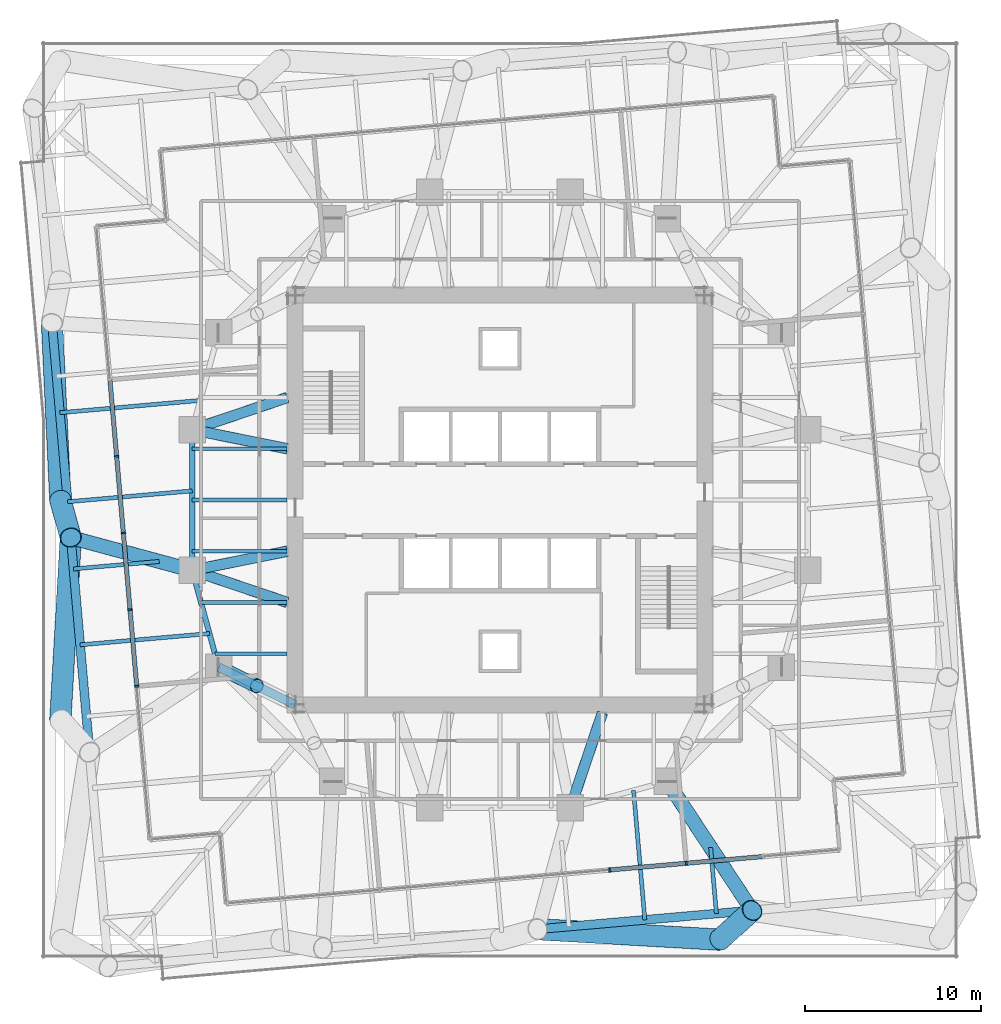
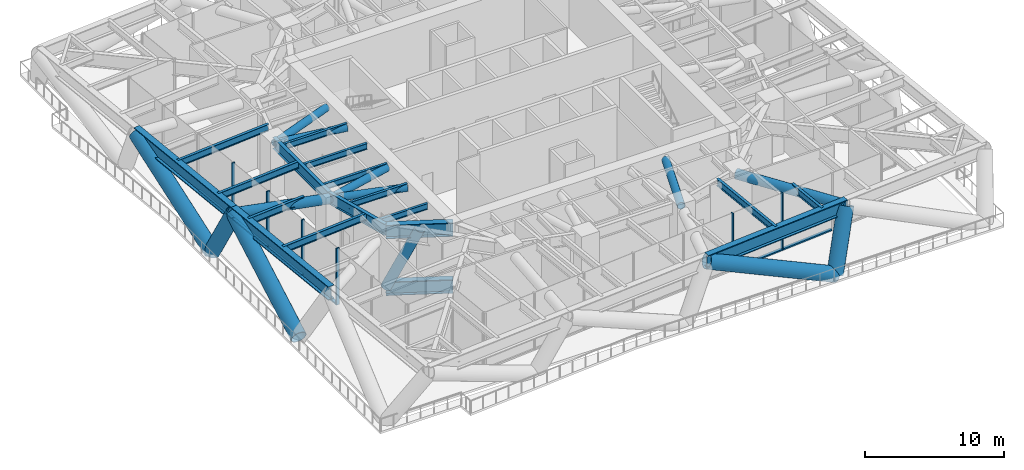
# One storey, part 3 of 14: 27 members, 16 beams, 2 elements without a shape of their own.
"""IFC4 building model written with IfcOpenShell, lengths in metres."""

from ifc_helpers import new_model, si_unit, direction, frame, origin, origin_2d, place, context, subcontext, project, spatial, rectangle, hollow_circle, i_section, extrude, material, material_profile, profile_set, type_object, element, aggregate, save


model = new_model("IFC4")

# Units and contexts
model_context = context("Model", 3, precision=1e-05, world=origin(), true_north=direction((0.0, 1.0)))
body_context = subcontext(model_context, "Body", "Model", "MODEL_VIEW")
ifc_project = project(units=[si_unit("LENGTHUNIT", "METRE"), si_unit("AREAUNIT", "SQUARE_METRE"), si_unit("VOLUMEUNIT", "CUBIC_METRE"), si_unit("PLANEANGLEUNIT", "RADIAN"), si_unit("MASSUNIT", "GRAM", prefix="KILO")], contexts=[model_context])

# Site, building, storey
site_placement = place(None, origin())
site = spatial("IfcSite", under=ifc_project, at=site_placement, CompositionType="ELEMENT")
building_placement = place(site_placement, origin())
building = spatial("IfcBuilding", under=site, at=building_placement, Name="Torsade Residences", CompositionType="ELEMENT")
storey_placement = place(building_placement, frame((0.0, 0.0, 42.199951171875)))
storey = spatial("IfcBuildingStorey", under=building, at=storey_placement, Name="L11", CompositionType="ELEMENT", Elevation=42.199951171875)

# Beams
ifc_material_1 = material(Name="Steel grade 300", Category="steel")
ifc_material_profile_1 = material_profile(ifc_material_1, i_section(OverallWidth=0.208984375, OverallDepth=0.528076171875, WebThickness=0.009521484375, FlangeThickness=0.01318359375, FilletRadius=0.013916015625, at=origin_2d()), Name="530UB82.0")
ifc_profile_set_1 = profile_set([ifc_material_profile_1], Name="Steel grade 300")
beam_type_1 = type_object("IfcBeamType", Name="INNER FLOOR BEAM 530UB82.0", PredefinedType="JOIST", material=ifc_profile_set_1)
for number, where, z_axis, x_axis, name in (
    (1, (27.89990234375, 32.91259765625, 4.5859375), (-1.0, 0.0, 0.0), (0.0, -1.0, 0.0), "Inner floor beam IW03 L12"),
    (2, (27.89990234375, 30.0, 4.5859375), (-1.0, 0.0, 0.0), (0.0, -1.0, 0.0), "Inner floor beam IW04 L12"),
    (3, (27.89990234375, 27.08740234375, 4.5859375), (-1.0, 0.0, 0.0), (0.0, -1.0, 0.0), "Inner floor beam IW05 L12"),
):
    element("IfcBeam", number, at=place(storey_placement, frame(where, z_axis=z_axis, x_axis=x_axis)), inside=storey, type_object=beam_type_1, Name=name, PredefinedType="JOIST", context=body_context, shape_type="SweptSolid", body=[
        extrude(i_section(OverallWidth=0.208984375, OverallDepth=0.528076171875, WebThickness=0.009521484375, FlangeThickness=0.01318359375, FilletRadius=0.013916015625, at=origin_2d()), origin(), (0.0, 0.0, 1.0), 5.39990234375),
    ])
beam_1_placement = place(storey_placement, frame((27.89990234375, 24.175048828125, 4.5859375), z_axis=(-1.0, 0.0, 0.0), x_axis=(0.0, -1.0, 0.0)))
element("IfcBeam", 4, at=beam_1_placement, inside=storey, type_object=beam_type_1, Name="Inner floor beam IW06 L12", PredefinedType="JOIST", context=body_context, shape_type="SweptSolid", body=[
    extrude(i_section(OverallWidth=0.208984375, OverallDepth=0.528076171875, WebThickness=0.009521484375, FlangeThickness=0.01318359375, FilletRadius=0.013916015625, at=origin_2d()), origin(), (0.0, 0.0, 1.0), 4.902099609375),
])
beam_2_placement = place(storey_placement, frame((27.89990234375, 21.262451171875, 4.5859375), z_axis=(-1.0, 0.0, 0.0), x_axis=(0.0, -1.0, 0.0)))
element("IfcBeam", 5, at=beam_2_placement, inside=storey, type_object=beam_type_1, Name="Inner floor beam IW07 L12", PredefinedType="JOIST", context=body_context, shape_type="SweptSolid", body=[
    extrude(i_section(OverallWidth=0.208984375, OverallDepth=0.528076171875, WebThickness=0.009521484375, FlangeThickness=0.01318359375, FilletRadius=0.013916015625, at=origin_2d()), origin(), (0.0, 0.0, 1.0), 4.10791015625),
])

# Members
ifc_material_2 = material(Name="Steel grade 350", Category="steel")
ifc_material_profile_2 = material_profile(ifc_material_2, i_section(OverallWidth=0.5, OverallDepth=1.199951171875, WebThickness=0.031982421875, FlangeThickness=0.050048828125, at=origin_2d()), Name="1200x500x50x32WPG")
ifc_profile_set_2 = profile_set([ifc_material_profile_2], Name="Steel grade 350")
member_type_1 = type_object("IfcMemberType", Name="OUTRIGGER CHORD", PredefinedType="CHORD", material=ifc_profile_set_2)
for number, where, z_axis, x_axis, name in (
    (6, (28.35009765625, 18.35009765625, 4.25), (-0.896490509266, 0.443062937737, 0.0), (-0.443062937737, -0.896490509266, 0.0), "Outrigger IR11 top chord L11"),
    (7, (28.35009765625, 18.35009765625, -0.75), (-0.896490509266, 0.443062937737, 0.0), (-0.443062937737, -0.896490509266, 0.0), "Outrigger IR11 bottom chord L11"),
):
    element("IfcMember", number, at=place(storey_placement, frame(where, z_axis=z_axis, x_axis=x_axis)), inside=storey, type_object=member_type_1, Name=name, PredefinedType="CHORD", context=body_context, shape_type="SweptSolid", body=[
        extrude(i_section(OverallWidth=0.5, OverallDepth=1.199951171875, WebThickness=0.031982421875, FlangeThickness=0.050048828125, at=origin_2d()), origin(), (0.0, 0.0, 1.0), 4.852294921875),
    ])
ifc_material_3 = material(Name="Steel grade 450", Category="steel")
ifc_material_profile_3 = material_profile(ifc_material_3, hollow_circle(Radius=0.406494140625, WallThickness=0.02490234375, at=origin_2d()), Name="813.0x25.0CHS")
ifc_profile_set_3 = profile_set([ifc_material_profile_3], Name="Steel grade 450")
member_type_2 = type_object("IfcMemberType", Name="OUTRIGGER DIAGONAL", PredefinedType="BRACE", material=ifc_profile_set_3)
member_1_placement = place(storey_placement, frame((24.0, 20.5, -0.75), z_axis=(0.391368316838, -0.193421786849, 0.899677082595), x_axis=(0.443062937737, 0.896490509266, 0.0)))
element("IfcMember", 8, at=member_1_placement, inside=storey, type_object=member_type_2, Name="Outrigger IR11 diagonal 2 L11", PredefinedType="BRACE", context=body_context, shape_type="SweptSolid", body=[
    extrude(hollow_circle(Radius=0.406494140625, WallThickness=0.02490234375, at=origin_2d()), origin(), (0.0, 0.0, 1.0), 5.5576171875),
])

# Beams
ifc_material_4 = material(Name="Steel grade 300", Category="steel")
ifc_material_profile_4 = material_profile(ifc_material_4, i_section(OverallWidth=0.300048828125, OverallDepth=1.0, WebThickness=0.01611328125, FlangeThickness=0.028076171875, at=origin_2d()), Name="1000WB215")
ifc_profile_set_4 = profile_set([ifc_material_profile_4], Name="Steel grade 300")
beam_type_2 = type_object("IfcBeamType", Name="RING GIRDER 1000WB215", PredefinedType="BEAM", material=ifc_profile_set_4)
beam_3_placement = place(storey_placement, frame((22.5, 34.0, 4.35009765625), z_axis=(0.0, -1.0, 0.0), x_axis=(1.0, 0.0, 0.0)))
element("IfcBeam", 9, at=beam_3_placement, inside=storey, type_object=beam_type_2, Name="Ring girder IR09 L12", PredefinedType="BEAM", context=body_context, shape_type="SweptSolid", body=[
    extrude(i_section(OverallWidth=0.300048828125, OverallDepth=1.0, WebThickness=0.01611328125, FlangeThickness=0.028076171875, at=origin_2d()), origin(), (0.0, 0.0, 1.0), 8.0),
])
beam_4_placement = place(storey_placement, frame((22.5, 26.0, 4.35009765625), z_axis=(0.263117405792, -0.964763821238, 0.0), x_axis=(0.964763821238, 0.263117405792, 0.0)))
element("IfcBeam", 10, at=beam_4_placement, inside=storey, type_object=beam_type_2, Name="Ring girder IR10 L12", PredefinedType="BEAM", context=body_context, shape_type="SweptSolid", body=[
    extrude(i_section(OverallWidth=0.300048828125, OverallDepth=1.0, WebThickness=0.01611328125, FlangeThickness=0.028076171875, at=origin_2d()), origin(), (0.0, 0.0, 1.0), 5.700927734375),
])
ifc_material_5 = material(Name="Steel grade 300", Category="steel")
ifc_material_profile_5 = material_profile(ifc_material_5, i_section(OverallWidth=0.22900390625, OverallDepth=0.612060546875, WebThickness=0.011962890625, FlangeThickness=0.01953125, FilletRadius=0.013916015625, at=origin_2d()), Name="610UB125")
ifc_profile_set_5 = profile_set([ifc_material_profile_5], Name="Steel grade 300")
beam_type_3 = type_object("IfcBeamType", Name="SECONDARY BEAM 610UB125", PredefinedType="JOIST", material=ifc_profile_set_5)
beam_5_placement = place(storey_placement, frame((48.237060546875, 6.126953125, 4.5439453125), z_axis=(-0.087156282128, 0.996194650902, 0.0), x_axis=(-0.996194650902, -0.087156282128, 0.0)))
element("IfcBeam", 11, at=beam_5_placement, inside=storey, type_object=beam_type_3, Name="Floor beam FS08 L12", PredefinedType="JOIST", context=body_context, shape_type="SweptSolid", body=[
    extrude(i_section(OverallWidth=0.22900390625, OverallDepth=0.612060546875, WebThickness=0.011962890625, FlangeThickness=0.01953125, FilletRadius=0.013916015625, at=origin_2d()), origin(), (0.0, 0.0, 1.0), 7.381103515625),
])
beam_6_placement = place(storey_placement, frame((52.3046875, 6.48291015625, 4.5439453125), z_axis=(-0.087142892177, 0.996195822288, 0.0), x_axis=(-0.996195822288, -0.087142892177, 0.0)))
element("IfcBeam", 12, at=beam_6_placement, inside=storey, type_object=beam_type_3, Name="Floor beam FS09 L12", PredefinedType="JOIST", context=body_context, shape_type="SweptSolid", body=[
    extrude(i_section(OverallWidth=0.22900390625, OverallDepth=0.612060546875, WebThickness=0.011962890625, FlangeThickness=0.01953125, FilletRadius=0.013916015625, at=origin_2d()), origin(), (0.0, 0.0, 1.0), 3.776611328125),
])
beam_7_placement = place(storey_placement, frame((14.97216796875, 34.962646484375, 4.5439453125), z_axis=(0.996194478268, 0.087158255311, 0.0), x_axis=(-0.087158255311, 0.996194478268, 0.0)))
element("IfcBeam", 13, at=beam_7_placement, inside=storey, type_object=beam_type_3, Name="Floor beam FW05 L12", PredefinedType="JOIST", context=body_context, shape_type="SweptSolid", body=[
    extrude(i_section(OverallWidth=0.22900390625, OverallDepth=0.612060546875, WebThickness=0.011962890625, FlangeThickness=0.01953125, FilletRadius=0.013916015625, at=origin_2d()), origin(), (0.0, 0.0, 1.0), 8.01123046875),
])
beam_8_placement = place(storey_placement, frame((15.415283203125, 29.898681640625, 4.5439453125), z_axis=(0.996197182094, 0.087127345813, 0.0), x_axis=(-0.087127345813, 0.996197182094, 0.0)))
element("IfcBeam", 14, at=beam_8_placement, inside=storey, type_object=beam_type_3, Name="Floor beam FW06 L12", PredefinedType="JOIST", context=body_context, shape_type="SweptSolid", body=[
    extrude(i_section(OverallWidth=0.22900390625, OverallDepth=0.612060546875, WebThickness=0.011962890625, FlangeThickness=0.01953125, FilletRadius=0.013916015625, at=origin_2d()), origin(), (0.0, 0.0, 1.0), 7.11181640625),
])
beam_9_placement = place(storey_placement, frame((15.749267578125, 26.079833984375, 4.5439453125), z_axis=(0.996194962831, 0.087152716714, 0.0), x_axis=(-0.087152716714, 0.996194962831, 0.0)))
element("IfcBeam", 15, at=beam_9_placement, inside=storey, type_object=beam_type_3, Name="Floor beam FW07 L12", PredefinedType="JOIST", context=body_context, shape_type="SweptSolid", body=[
    extrude(i_section(OverallWidth=0.22900390625, OverallDepth=0.612060546875, WebThickness=0.011962890625, FlangeThickness=0.01953125, FilletRadius=0.013916015625, at=origin_2d()), origin(), (0.0, 0.0, 1.0), 4.893798828125),
])
beam_10_placement = place(storey_placement, frame((16.126953125, 21.762939453125, 4.5439453125), z_axis=(0.996194650902, 0.087156282128, 0.0), x_axis=(-0.087156282128, 0.996194650902, 0.0)))
element("IfcBeam", 16, at=beam_10_placement, inside=storey, type_object=beam_type_3, Name="Floor beam FW08 L12", PredefinedType="JOIST", context=body_context, shape_type="SweptSolid", body=[
    extrude(i_section(OverallWidth=0.22900390625, OverallDepth=0.612060546875, WebThickness=0.011962890625, FlangeThickness=0.01953125, FilletRadius=0.013916015625, at=origin_2d()), origin(), (0.0, 0.0, 1.0), 7.381103515625),
])

# Members
ifc_material_6 = material(Name="Steel grade 450", Category="steel")
ifc_material_profile_6 = material_profile(ifc_material_6, hollow_circle(Radius=0.304931640625, WallThickness=0.01611328125, at=origin_2d()), Name="610.0x16.0CHS")
ifc_profile_set_6 = profile_set([ifc_material_profile_6], Name="Steel grade 450")
member_type_3 = type_object("IfcMemberType", Name="TRANSFER FLOOR BRACE 610.0x16.0CHS", PredefinedType="BRACE", material=ifc_profile_set_6)
member_2_placement = place(storey_placement, frame((22.5, 34.0, 4.25), z_axis=(0.97976207845, -0.197299045909, 0.03375434957), x_axis=(0.197411538983, 0.980320704809, 0.0)))
element("IfcMember", 17, at=member_2_placement, inside=storey, type_object=member_type_3, Name="Transfer floor brace TT1 top IR09IW03", PredefinedType="BRACE", context=body_context, shape_type="SweptSolid", body=[
    extrude(hollow_circle(Radius=0.304931640625, WallThickness=0.01611328125, at=origin_2d()), origin(), (0.0, 0.0, 1.0), 5.511474609375),
])
member_3_placement = place(storey_placement, frame((22.5, 34.0, 4.25), z_axis=(0.946855969774, 0.319999474368, 0.032620682203), x_axis=(-0.320169867513, 0.947360151124, 0.0)))
element("IfcMember", 18, at=member_3_placement, inside=storey, type_object=member_type_3, Name="Transfer floor brace TT1 top IR09IW02", PredefinedType="BRACE", context=body_context, shape_type="SweptSolid", body=[
    extrude(hollow_circle(Radius=0.304931640625, WallThickness=0.01611328125, at=origin_2d()), origin(), (0.0, 0.0, 1.0), 5.702880859375),
])
member_4_placement = place(storey_placement, frame((22.5, 26.0, 4.25), z_axis=(0.97976207845, 0.197299045909, 0.03375434957), x_axis=(-0.197411538983, 0.980320704809, 0.0)))
element("IfcMember", 19, at=member_4_placement, inside=storey, type_object=member_type_3, Name="Transfer floor brace TT1 top IR10IW05", PredefinedType="BRACE", context=body_context, shape_type="SweptSolid", body=[
    extrude(hollow_circle(Radius=0.304931640625, WallThickness=0.01611328125, at=origin_2d()), origin(), (0.0, 0.0, 1.0), 5.511474609375),
])
for number, where, z_axis, x_axis, name in (
    (20, (22.5, 26.0, 4.25), (0.946855969774, -0.319999474368, 0.032620682203), (0.320169867513, 0.947360151124, 0.0), "Transfer floor brace TT1 top IR10IW06"),
    (21, (44.0, 12.5, 4.25), (0.319999474368, 0.946855969774, 0.032620682203), (-0.947360151124, 0.320169867513, 0.0), "Transfer floor brace TT1 top IR14IS02"),
):
    element("IfcMember", number, at=place(storey_placement, frame(where, z_axis=z_axis, x_axis=x_axis)), inside=storey, type_object=member_type_3, Name=name, PredefinedType="BRACE", context=body_context, shape_type="SweptSolid", body=[
        extrude(hollow_circle(Radius=0.304931640625, WallThickness=0.01611328125, at=origin_2d()), origin(), (0.0, 0.0, 1.0), 5.702880859375),
    ])
ifc_material_7 = material(Name="Steel grade 450", Category="steel")
ifc_material_profile_7 = material_profile(ifc_material_7, hollow_circle(Radius=0.406494140625, WallThickness=0.02490234375, at=origin_2d()), Name="813.0x25.0CHS")
ifc_profile_set_7 = profile_set([ifc_material_profile_7], Name="Steel grade 450")
member_type_4 = type_object("IfcMemberType", Name="TRANSFER FLOOR STRUT 813.0x25.0CHS", PredefinedType="STRUT", material=ifc_profile_set_7)
member_5_placement = place(storey_placement, frame((54.338623046875, 6.660888671875, 4.25), z_axis=(-0.550430848899, 0.8348807583, 0.0), x_axis=(-0.8348807583, -0.550430848899, 0.0)))
element("IfcMember", 22, at=member_5_placement, inside=storey, type_object=member_type_4, Name="Transfer floor strut TT1 top 04IR15", PredefinedType="STRUT", context=body_context, shape_type="SweptSolid", body=[
    extrude(hollow_circle(Radius=0.406494140625, WallThickness=0.02490234375, at=origin_2d()), origin(), (0.0, 0.0, 1.0), 8.79052734375),
])
member_6_placement = place(storey_placement, frame((15.59326171875, 27.86474609375, 4.25), z_axis=(0.965431658918, -0.260656310032, 0.0), x_axis=(0.260656310032, 0.965431658918, 0.0)))
element("IfcMember", 23, at=member_6_placement, inside=storey, type_object=member_type_4, Name="Transfer floor strut TT1 top 15IR10", PredefinedType="STRUT", context=body_context, shape_type="SweptSolid", body=[
    extrude(hollow_circle(Radius=0.406494140625, WallThickness=0.02490234375, at=origin_2d()), origin(), (0.0, 0.0, 1.0), 7.154052734375),
])

# Curtain wall, members
ifc_material_8 = material(Name="Aluminium and glass", Category="aluminium")
curtain_wall_type = type_object("IfcCurtainWallType", Name="TRANSFER LEVEL CURTAIN WALL LOW ZONE", PredefinedType="NOTDEFINED", material=ifc_material_8)
curtain_wall_1_placement = place(storey_placement, origin())
curtain_wall_1 = element("IfcCurtainWall", 24, at=curtain_wall_1_placement, inside=storey, type_object=curtain_wall_type, Name="Curtain wall L11 face 1", PredefinedType="NOTDEFINED")
ifc_material_9 = material(Name="Aluminium mullion", Category="aluminium")
ifc_material_profile_8 = material_profile(ifc_material_9, rectangle(XDim=0.25, YDim=0.10009765625, at=origin_2d()), Name="TRANSFER LEVEL CURTAIN WALL MULLION 250x100")
ifc_profile_set_8 = profile_set([ifc_material_profile_8], Name="Aluminium mullion")
member_type_5 = type_object("IfcMemberType", Name="TRANSFER LEVEL CURTAIN WALL MULLION 250x100", PredefinedType="MULLION", material=ifc_profile_set_8)
member_7_placement = place(storey_placement, frame((46.232177734375, 8.963134765625, 0.0), z_axis=(0.0, 0.0, 1.0), x_axis=(-0.087155741444, 0.996194698206, 0.0)))
member_7 = element("IfcMember", 25, at=member_7_placement, type_object=member_type_5, Name="Mullion 6", PredefinedType="MULLION", context=body_context, shape_type="SweptSolid", body=[
    extrude(rectangle(XDim=0.25, YDim=0.10009765625, at=origin_2d()), origin(), (0.0, 0.0, 1.0), 5.0),
])
member_8_placement = place(storey_placement, frame((50.590576171875, 9.344482421875, 0.0), z_axis=(0.0, 0.0, 1.0), x_axis=(-0.087155741444, 0.996194698206, 0.0)))
member_8 = element("IfcMember", 26, at=member_8_placement, type_object=member_type_5, Name="Mullion 7", PredefinedType="MULLION", context=body_context, shape_type="SweptSolid", body=[
    extrude(rectangle(XDim=0.25, YDim=0.10009765625, at=origin_2d()), origin(), (0.0, 0.0, 1.0), 5.0),
])

curtain_wall_2_placement = place(storey_placement, origin())
curtain_wall_2 = element("IfcCurtainWall", 27, at=curtain_wall_2_placement, inside=storey, type_object=curtain_wall_type, Name="Curtain wall L11 face 10", PredefinedType="NOTDEFINED")
member_9_placement = place(storey_placement, frame((18.200439453125, 32.484619140625, 0.0), z_axis=(0.0, 0.0, 1.0), x_axis=(0.996194698206, 0.087155741444, 0.0)))
member_9 = element("IfcMember", 28, at=member_9_placement, type_object=member_type_5, Name="Mullion 4", PredefinedType="MULLION", context=body_context, shape_type="SweptSolid", body=[
    extrude(rectangle(XDim=0.25, YDim=0.10009765625, at=origin_2d()), origin(), (0.0, 0.0, 1.0), 5.0),
])
member_10_placement = place(storey_placement, frame((18.581787109375, 28.126220703125, 0.0), z_axis=(0.0, 0.0, 1.0), x_axis=(0.996194698206, 0.087155741444, 0.0)))
member_10 = element("IfcMember", 29, at=member_10_placement, type_object=member_type_5, Name="Mullion 5", PredefinedType="MULLION", context=body_context, shape_type="SweptSolid", body=[
    extrude(rectangle(XDim=0.25, YDim=0.10009765625, at=origin_2d()), origin(), (0.0, 0.0, 1.0), 5.0),
])
member_11_placement = place(storey_placement, frame((18.963134765625, 23.767822265625, 0.0), z_axis=(0.0, 0.0, 1.0), x_axis=(0.996194698206, 0.087155741444, 0.0)))
member_11 = element("IfcMember", 30, at=member_11_placement, type_object=member_type_5, Name="Mullion 6", PredefinedType="MULLION", context=body_context, shape_type="SweptSolid", body=[
    extrude(rectangle(XDim=0.25, YDim=0.10009765625, at=origin_2d()), origin(), (0.0, 0.0, 1.0), 5.0),
])
member_12_placement = place(storey_placement, frame((19.344482421875, 19.409423828125, 0.0), z_axis=(0.0, 0.0, 1.0), x_axis=(0.996194698206, 0.087155741444, 0.0)))
member_12 = element("IfcMember", 31, at=member_12_placement, type_object=member_type_5, Name="Mullion 7", PredefinedType="MULLION", context=body_context, shape_type="SweptSolid", body=[
    extrude(rectangle(XDim=0.25, YDim=0.10009765625, at=origin_2d()), origin(), (0.0, 0.0, 1.0), 5.0),
])

# Member
ifc_material_10 = material(Name="Aluminium transom", Category="aluminium")
ifc_material_profile_9 = material_profile(ifc_material_10, rectangle(XDim=0.25, YDim=0.1201171875, at=origin_2d()), Name="TRANSFER LEVEL CURTAIN WALL TRANSOM 250x120")
ifc_profile_set_9 = profile_set([ifc_material_profile_9], Name="Aluminium transom")
member_type_6 = type_object("IfcMemberType", Name="TRANSFER LEVEL CURTAIN WALL TRANSOM 250x120", PredefinedType="USERDEFINED", material=ifc_profile_set_9)
member_13_placement = place(storey_placement, frame((46.281982421875, 8.967529296875, 0.06005859375), z_axis=(0.996195452949, 0.087147114263, 0.0), x_axis=(-0.087147114263, 0.996195452949, 0.0)))
member_13 = element("IfcMember", 32, at=member_13_placement, type_object=member_type_6, Name="Transom 6.1", ObjectType="TRANSOM", PredefinedType="USERDEFINED", context=body_context, shape_type="SweptSolid", body=[
    extrude(rectangle(XDim=0.25, YDim=0.1201171875, at=origin_2d()), origin(), (0.0, 0.0, 1.0), 4.275146484375),
])

member_14_placement = place(storey_placement, frame((50.640380859375, 9.348876953125, 0.06005859375), z_axis=(0.996195452949, 0.087147114263, 0.0), x_axis=(-0.087147114263, 0.996195452949, 0.0)))
member_14 = element("IfcMember", 33, at=member_14_placement, type_object=member_type_6, Name="Transom 7.1", ObjectType="TRANSOM", PredefinedType="USERDEFINED", context=body_context, shape_type="SweptSolid", body=[
    extrude(rectangle(XDim=0.25, YDim=0.1201171875, at=origin_2d()), origin(), (0.0, 0.0, 1.0), 4.275146484375),
])

aggregate(curtain_wall_1, [member_7, member_8, member_13, member_14])

member_15_placement = place(storey_placement, frame((17.823486328125, 36.79296875, 0.06005859375), z_axis=(0.087152072424, -0.996195019197, 0.0), x_axis=(0.996195019197, 0.087152072424, 0.0)))
member_15 = element("IfcMember", 34, at=member_15_placement, type_object=member_type_6, Name="Transom 3.1", ObjectType="TRANSOM", PredefinedType="USERDEFINED", context=body_context, shape_type="SweptSolid", body=[
    extrude(rectangle(XDim=0.25, YDim=0.1201171875, at=origin_2d()), origin(), (0.0, 0.0, 1.0), 4.27490234375),
])

member_16_placement = place(storey_placement, frame((18.204833984375, 32.434814453125, 0.06005859375), z_axis=(0.087147114263, -0.996195452949, 0.0), x_axis=(0.996195452949, 0.087147114263, 0.0)))
member_16 = element("IfcMember", 35, at=member_16_placement, type_object=member_type_6, Name="Transom 4.1", ObjectType="TRANSOM", PredefinedType="USERDEFINED", context=body_context, shape_type="SweptSolid", body=[
    extrude(rectangle(XDim=0.25, YDim=0.1201171875, at=origin_2d()), origin(), (0.0, 0.0, 1.0), 4.275146484375),
])

member_17_placement = place(storey_placement, frame((18.586181640625, 28.076416015625, 0.06005859375), z_axis=(0.087147114263, -0.996195452949, 0.0), x_axis=(0.996195452949, 0.087147114263, 0.0)))
member_17 = element("IfcMember", 36, at=member_17_placement, type_object=member_type_6, Name="Transom 5.1", ObjectType="TRANSOM", PredefinedType="USERDEFINED", context=body_context, shape_type="SweptSolid", body=[
    extrude(rectangle(XDim=0.25, YDim=0.1201171875, at=origin_2d()), origin(), (0.0, 0.0, 1.0), 4.275146484375),
])

member_18_placement = place(storey_placement, frame((18.967529296875, 23.718017578125, 0.06005859375), z_axis=(0.087147114263, -0.996195452949, 0.0), x_axis=(0.996195452949, 0.087147114263, 0.0)))
member_18 = element("IfcMember", 37, at=member_18_placement, type_object=member_type_6, Name="Transom 6.1", ObjectType="TRANSOM", PredefinedType="USERDEFINED", context=body_context, shape_type="SweptSolid", body=[
    extrude(rectangle(XDim=0.25, YDim=0.1201171875, at=origin_2d()), origin(), (0.0, 0.0, 1.0), 4.275146484375),
])

aggregate(curtain_wall_2, [member_9, member_10, member_11, member_12, member_15, member_16, member_17, member_18])

# Beams
ifc_material_11 = material(Name="Steel grade 350", Category="steel")
ifc_material_profile_10 = material_profile(ifc_material_11, i_section(OverallWidth=0.5, OverallDepth=1.199951171875, WebThickness=0.0400390625, FlangeThickness=0.070068359375, at=origin_2d()), Name="1200x500x70x40WPG")
ifc_profile_set_10 = profile_set([ifc_material_profile_10], Name="Steel grade 350")
beam_type_4 = type_object("IfcBeamType", Name="TRANSFER TRUSS CHORD 1200x500x70x40WPG", PredefinedType="USERDEFINED", material=ifc_profile_set_10)
for number, where, z_axis, x_axis, name in (
    (38, (42.13525390625, 5.59326171875, 4.25), (0.996194907201, 0.08715335259, 0.0), (-0.08715335259, 0.996194907201, 0.0), "Transfer truss TT1 top chord 03"),
    (39, (14.525634765625, 40.068115234375, 4.25), (0.08715335259, -0.996194907201, 0.0), (0.996194907201, 0.08715335259, 0.0), "Transfer truss TT1 top chord 14"),
    (40, (15.59326171875, 27.86474609375, 4.25), (0.08715335259, -0.996194907201, 0.0), (0.996194907201, 0.08715335259, 0.0), "Transfer truss TT1 top chord 15"),
):
    element("IfcBeam", number, at=place(storey_placement, frame(where, z_axis=z_axis, x_axis=x_axis)), inside=storey, type_object=beam_type_4, Name=name, ObjectType="TRANSFER TRUSS CHORD", PredefinedType="USERDEFINED", context=body_context, shape_type="SweptSolid", body=[
        extrude(i_section(OverallWidth=0.5, OverallDepth=1.199951171875, WebThickness=0.0400390625, FlangeThickness=0.070068359375, at=origin_2d()), origin(), (0.0, 0.0, 1.0), 12.25),
    ])

# Members
ifc_material_12 = material(Name="Steel grade 450", Category="steel")
ifc_material_profile_11 = material_profile(ifc_material_12, hollow_circle(Radius=0.609619140625, WallThickness=0.0400390625, at=origin_2d()), Name="1219.0x40.0CHS")
ifc_profile_set_11 = profile_set([ifc_material_profile_11], Name="Steel grade 450")
member_type_7 = type_object("IfcMemberType", Name="TRANSFER TRUSS DIAGONAL 1219.0x40.0CHS", PredefinedType="BRACE", material=ifc_profile_set_11)
member_19_placement = place(storey_placement, frame((52.5, 5.0, -0.199951171875), z_axis=(-0.917622360024, 0.05252325658, 0.39396765337), x_axis=(-0.057144889209, -0.99836589567, 0.0)))
element("IfcMember", 41, at=member_19_placement, inside=storey, type_object=member_type_7, Name="Transfer truss TT1 diagonal 03", PredefinedType="BRACE", context=body_context, shape_type="SweptSolid", body=[
    extrude(hollow_circle(Radius=0.609619140625, WallThickness=0.0400390625, at=origin_2d()), origin(), (0.0, 0.0, 1.0), 11.295166015625),
])
member_20_placement = place(storey_placement, frame((15.0, 30.0, -0.199951171875), z_axis=(-0.043054067178, 0.913796539554, 0.403883933326), x_axis=(-0.998891904916, -0.047063385903, 0.0)))
element("IfcMember", 42, at=member_20_placement, inside=storey, type_object=member_type_7, Name="Transfer truss TT1 diagonal 14", PredefinedType="BRACE", context=body_context, shape_type="SweptSolid", body=[
    extrude(hollow_circle(Radius=0.609619140625, WallThickness=0.0400390625, at=origin_2d()), origin(), (0.0, 0.0, 1.0), 11.017822265625),
])
member_21_placement = place(storey_placement, frame((15.0, 17.5, -0.199951171875), z_axis=(0.05252325658, 0.917622360024, 0.39396765337), x_axis=(-0.99836589567, 0.057144889209, 0.0)))
element("IfcMember", 43, at=member_21_placement, inside=storey, type_object=member_type_7, Name="Transfer truss TT1 diagonal 15", PredefinedType="BRACE", context=body_context, shape_type="SweptSolid", body=[
    extrude(hollow_circle(Radius=0.609619140625, WallThickness=0.0400390625, at=origin_2d()), origin(), (0.0, 0.0, 1.0), 11.295166015625),
])
ifc_material_13 = material(Name="Steel grade 450", Category="steel")
ifc_material_profile_12 = material_profile(ifc_material_13, hollow_circle(Radius=0.609619140625, WallThickness=0.0400390625, at=origin_2d()), Name="1219.0x40.0CHS")
ifc_profile_set_12 = profile_set([ifc_material_profile_12], Name="Steel grade 450")
member_type_8 = type_object("IfcMemberType", Name="TRANSFER TRUSS RAKING STRUT 1219.0x40.0CHS", PredefinedType="STRUT", material=ifc_profile_set_12)
member_22_placement = place(storey_placement, frame((52.5, 5.0, -0.199951171875), z_axis=(0.360992414416, 0.326096321241, 0.87369655259), x_axis=(-0.670330018532, 0.742063114738, 0.0)))
element("IfcMember", 44, at=member_22_placement, inside=storey, type_object=member_type_8, Name="Transfer truss TT1 raking strut 04", PredefinedType="STRUT", context=body_context, shape_type="SweptSolid", body=[
    extrude(hollow_circle(Radius=0.609619140625, WallThickness=0.0400390625, at=origin_2d()), origin(), (0.0, 0.0, 1.0), 5.09326171875),
])
member_23_placement = place(storey_placement, frame((15.0, 30.0, -0.199951171875), z_axis=(0.119338522054, -0.429520458388, 0.89513713641), x_axis=(0.963502125019, 0.267700681888, 0.0)))
element("IfcMember", 45, at=member_23_placement, inside=storey, type_object=member_type_8, Name="Transfer truss TT1 raking strut 15", PredefinedType="STRUT", context=body_context, shape_type="SweptSolid", body=[
    extrude(hollow_circle(Radius=0.609619140625, WallThickness=0.0400390625, at=origin_2d()), origin(), (0.0, 0.0, 1.0), 4.97119140625),
])

save(model, "model.ifc")
